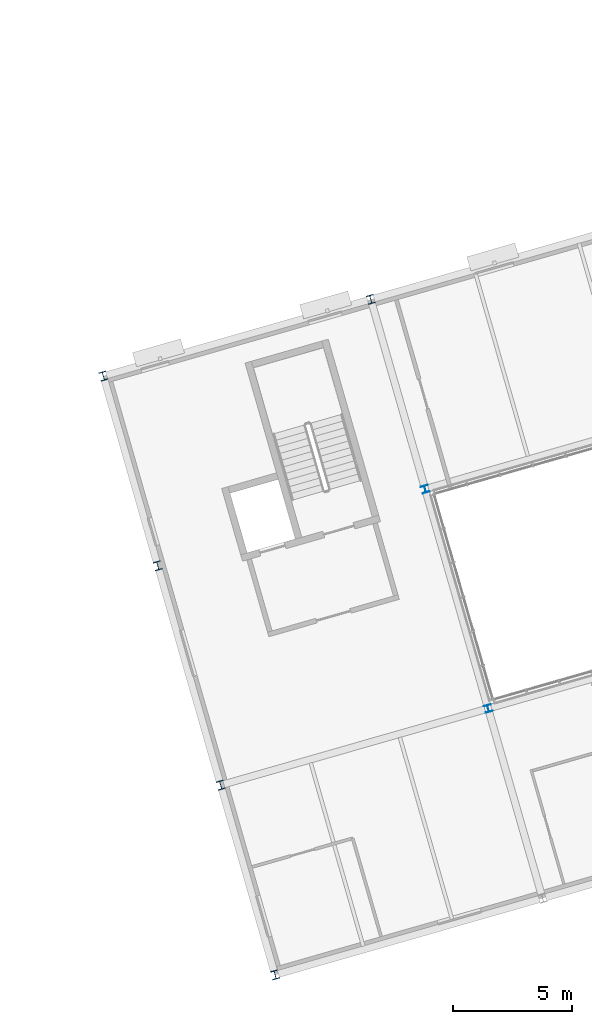
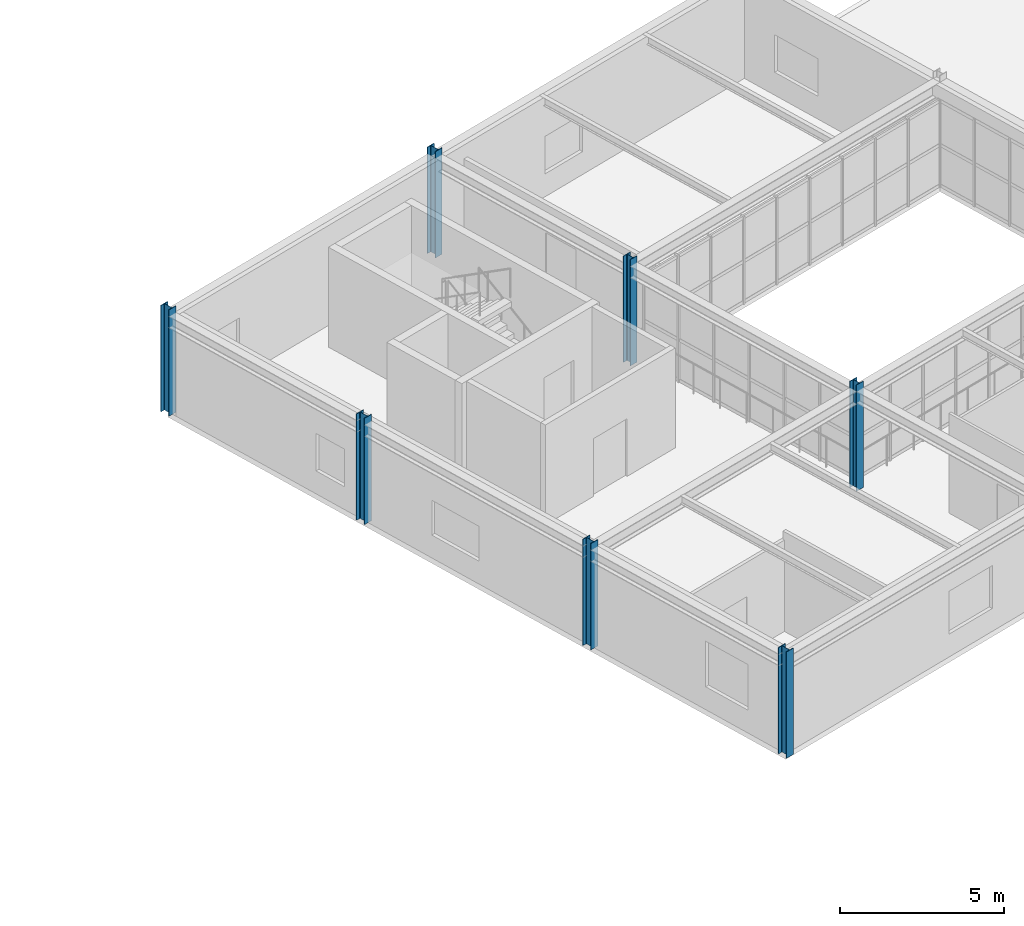
# One storey, part 6 of 44: 7 columns.
"""IFC4 building model written with IfcOpenShell, lengths in metres."""

import ifcopenshell
import ifcopenshell.guid

model = None  # the IFC model being written
_history = None  # IfcOwnerHistory: only IFC2X3 demands one
_inside = {}  # id of a spatial element -> (the spatial element, [elements in it])
_under = {}  # id of a project, library or spatial element -> (it, [spatial elements below it])
_declared = {}  # id of a project -> (the project, [libraries it declares])
_typed = {}  # id of a type object -> (the type object, [elements of that type])
_made_of = {}  # id of a material, layer set ... -> (it, [elements and type objects made of it])


def new_model(schema):
    """Start an empty IFC model of exactly this schema.

    Asked for "IFC4X3", IfcOpenShell would pick the latest addendum, in which some entities
    have other attributes; the version numbers below select the first issue.
    IFC2X3 requires an IfcOwnerHistory on every rooted entity: one is made here for all.
    """
    global model, _history
    if schema == "IFC4X3":
        model = ifcopenshell.file(schema_version=(4, 3, 0, 0))
    else:
        model = ifcopenshell.file(schema=schema)
    _inside.clear()
    _under.clear()
    _declared.clear()
    _typed.clear()
    _made_of.clear()
    _history = None
    if model.schema == "IFC2X3":
        org = make("IfcOrganization", Name="unknown")
        user = make(
            "IfcPersonAndOrganization",
            ThePerson=make("IfcPerson", FamilyName="unknown"),
            TheOrganization=org,
        )
        app = make(
            "IfcApplication",
            ApplicationDeveloper=org,
            Version="unknown",
            ApplicationFullName="unknown",
            ApplicationIdentifier="unknown",
        )
        _history = make(
            "IfcOwnerHistory",
            OwningUser=user,
            OwningApplication=app,
            ChangeAction="ADDED",
            CreationDate=0,
        )
    return model


def make(cls, **values):
    """One entity of the class cls with the attributes given. An attribute that is None is left unset."""
    return model.create_entity(
        cls, **{name: value for name, value in values.items() if value is not None}
    )


def rooted(cls, **values):
    """An entity with a GlobalId (a new one), such as an element, a storey or a relation."""
    return make(cls, GlobalId=ifcopenshell.guid.new(), OwnerHistory=_history, **values)


def si_unit(unit_type, name, prefix=None):
    """IfcSIUnit, for example si_unit("LENGTHUNIT", "METRE", prefix="MILLI")."""
    return make("IfcSIUnit", UnitType=unit_type, Prefix=prefix, Name=name)


def assignment(units):
    """IfcUnitAssignment: the units of a project."""
    return None if units is None else make("IfcUnitAssignment", Units=units)


def point(xyz):
    """IfcCartesianPoint."""
    return None if xyz is None else make("IfcCartesianPoint", Coordinates=xyz)


def direction(xyz):
    """IfcDirection."""
    return None if xyz is None else make("IfcDirection", DirectionRatios=xyz)


def frame(location, z_axis=None, x_axis=None):
    """IfcAxis2Placement3D, a coordinate frame: its origin and axes. An axis left out is left unset."""
    return make(
        "IfcAxis2Placement3D",
        Location=point(location),
        Axis=direction(z_axis),
        RefDirection=direction(x_axis),
    )


def frame_2d(location, x_axis=None):
    """IfcAxis2Placement2D, a coordinate frame in the plane: its origin and x axis."""
    return make(
        "IfcAxis2Placement2D", Location=point(location), RefDirection=direction(x_axis)
    )


def origin():
    """The frame at (0, 0, 0) with its axes left unset."""
    return frame((0.0, 0.0, 0.0))


def origin_2d():
    """The frame at (0, 0) in the plane with its x axis left unset."""
    return frame_2d((0.0, 0.0))


def place(relative_to, where):
    """IfcLocalPlacement: puts the frame where relative to a parent placement (None: the world)."""
    return make(
        "IfcLocalPlacement", PlacementRelTo=relative_to, RelativePlacement=where
    )


def context(
    kind, dimensions, precision=None, world=None, true_north=None, identifier=None
):
    """IfcGeometricRepresentationContext, for example the 3D "Model" context."""
    return make(
        "IfcGeometricRepresentationContext",
        ContextIdentifier=identifier,
        ContextType=kind,
        CoordinateSpaceDimension=dimensions,
        Precision=precision,
        WorldCoordinateSystem=world,
        TrueNorth=true_north,
    )


def subcontext(parent, identifier, kind, view, scale=None):
    """IfcGeometricRepresentationSubContext, for example "Body" below "Model"."""
    return make(
        "IfcGeometricRepresentationSubContext",
        ContextIdentifier=identifier,
        ContextType=kind,
        ParentContext=parent,
        TargetScale=scale,
        TargetView=view,
    )


def project(units=None, contexts=None):
    """IfcProject with its units and contexts."""
    return rooted(
        "IfcProject",
        Name="project",
        RepresentationContexts=contexts,
        UnitsInContext=assignment(units),
    )


def spatial(cls, under=None, at=None, **own):
    """A site, building, storey or space (cls), placed at a placement, below another one or the project."""
    s = rooted(cls, ObjectPlacement=at, **own)
    if under is not None:
        _under.setdefault(under.id(), (under, []))[1].append(s)
    return s


def profile(cls, at=None, kind="AREA", **sizes):
    """A parametric profile (cls). Its sizes go by their IFC names, for example OverallWidth=200.0."""
    return make(cls, ProfileType=kind, Position=at, **sizes)


def i_section(**sizes):
    """IfcIShapeProfileDef."""
    return profile("IfcIShapeProfileDef", **sizes)


def extrude(swept, where, along, depth):
    """IfcExtrudedAreaSolid: the profile swept, set in the frame where, extruded along a direction by depth."""
    return make(
        "IfcExtrudedAreaSolid",
        SweptArea=swept,
        Position=where,
        ExtrudedDirection=direction(along),
        Depth=depth,
    )


def shape(context_of_items, identifier, shape_type, items):
    """IfcShapeRepresentation: the items that make up one representation, for example the "Body"."""
    return make(
        "IfcShapeRepresentation",
        ContextOfItems=context_of_items,
        RepresentationIdentifier=identifier,
        RepresentationType=shape_type,
        Items=items,
    )


def material(Name=None, Category=None):
    """IfcMaterial."""
    return make("IfcMaterial", Name=Name, Category=Category)


def material_profile(
    of_material, cross_section, Name=None, Category=None, Priority=None
):
    """IfcMaterialProfile: a cross section and its material."""
    return make(
        "IfcMaterialProfile",
        Name=Name,
        Material=of_material,
        Profile=cross_section,
        Priority=Priority,
        Category=Category,
    )


def profile_set(profiles, Name=None, composite=None):
    """IfcMaterialProfileSet."""
    return make(
        "IfcMaterialProfileSet",
        Name=Name,
        MaterialProfiles=profiles,
        CompositeProfile=composite,
    )


def made_of(thing, what):
    """Note that an element or type object is made of a material, layer set ...; save() writes the relation."""
    if what is not None:
        _made_of.setdefault(what.id(), (what, []))[1].append(thing)
    return thing


def type_object(cls, material=None, **own):
    """A type object (cls), such as IfcWallType, which elements share."""
    return made_of(rooted(cls, **own), material)


def element(
    cls,
    number,
    at=None,
    inside=None,
    cuts=None,
    type_object=None,
    material=None,
    context=None,
    identifier="Body",
    shape_type=None,
    held_by="IfcProductDefinitionShape",
    body=None,
    shapes=None,
    **own,
):
    """One element of the class cls, such as IfcWall. Its Tag is "e" and its number.

    at: its placement. inside: the storey or other place that contains it. cuts: it is an
    opening in that element (IfcRelVoidsElement). A single representation is given by context,
    identifier, shape_type and body (its items); several are given by shapes. held_by: the class
    of the entity that holds the representations. save() writes the other relations.
    """
    e = rooted(cls, Tag="e%d" % number, ObjectPlacement=at, **own)
    if body is not None:
        shapes = [shape(context, identifier, shape_type, body)]
    if shapes is not None:
        e.Representation = make(held_by, Representations=shapes)
    if inside is not None:
        _inside.setdefault(inside.id(), (inside, []))[1].append(e)
    if cuts is not None:
        rooted(
            "IfcRelVoidsElement", RelatingBuildingElement=cuts, RelatedOpeningElement=e
        )
    if type_object is not None:
        _typed.setdefault(type_object.id(), (type_object, []))[1].append(e)
    return made_of(e, material)


def aggregate(whole, parts):
    """IfcRelAggregates: a whole, such as a stair, and the parts it consists of."""
    return rooted("IfcRelAggregates", RelatingObject=whole, RelatedObjects=parts)


def save(model, path):
    """Write the relations noted so far, then the file.

    IfcRelAggregates (storeys below a building ...), IfcRelContainedInSpatialStructure (elements
    in a storey), IfcRelDefinesByType, IfcRelAssociatesMaterial and IfcRelDeclares: one each for
    every whole, place, type object, material and project.
    """
    for whole, parts in _under.values():
        aggregate(whole, parts)
    for where, things in _inside.values():
        rooted(
            "IfcRelContainedInSpatialStructure",
            RelatedElements=things,
            RelatingStructure=where,
        )
    for kind, things in _typed.values():
        rooted("IfcRelDefinesByType", RelatedObjects=things, RelatingType=kind)
    for what, things in _made_of.values():
        rooted("IfcRelAssociatesMaterial", RelatedObjects=things, RelatingMaterial=what)
    for by, libraries in _declared.values():
        rooted("IfcRelDeclares", RelatingContext=by, RelatedDefinitions=libraries)
    model.write(path)


model = new_model("IFC4")

# Units and contexts
model_context = context("Model", 3, precision=1e-05, world=origin(), true_north=direction((0.0, 1.0)))
body_context = subcontext(model_context, "Body", "Model", "MODEL_VIEW")
ifc_project = project(units=[si_unit("LENGTHUNIT", "METRE"), si_unit("AREAUNIT", "SQUARE_METRE"), si_unit("VOLUMEUNIT", "CUBIC_METRE"), si_unit("PLANEANGLEUNIT", "RADIAN"), si_unit("MASSUNIT", "GRAM", prefix="KILO")], contexts=[model_context])

# Site, building, storey
site_placement = place(None, origin())
site = spatial("IfcSite", under=ifc_project, at=site_placement, CompositionType="ELEMENT")
building_placement = place(site_placement, origin())
building = spatial("IfcBuilding", under=site, at=building_placement, Name="Varnklinge Art Gallery", CompositionType="ELEMENT")
storey_placement = place(building_placement, frame((0.0, 0.0, 13.679931640625)))
storey = spatial("IfcBuildingStorey", under=building, at=storey_placement, Name="L03", CompositionType="ELEMENT", Elevation=13.679931640625)

# Columns
ifc_material_1 = material(Name="Steel S355", Category="steel")
ifc_material_profile_1 = material_profile(ifc_material_1, i_section(OverallWidth=0.300048828125, OverallDepth=0.300048828125, WebThickness=0.010986328125, FlangeThickness=0.01904296875, FilletRadius=0.027099609375, at=origin_2d()), Name="HEB 300")
ifc_profile_set_1 = profile_set([ifc_material_profile_1], Name="Steel S355")
column_type_1 = type_object("IfcColumnType", Name="COL-10", PredefinedType="COLUMN", material=ifc_profile_set_1)
for number, where, z_axis, x_axis, name in (
    (1, (133.78662109375, 21.01171875, 0.0), (0.0, 0.0, 1.0), (0.961261695938, 0.275637355817, 0.0), "L03 Column V6C-2-2"),
    (2, (131.140380859375, 30.23974609375, 0.0), (0.0, 0.0, 1.0), (0.961261695938, 0.275637355817, 0.0), "L03 Column V6C-2-3"),
):
    element("IfcColumn", number, at=place(storey_placement, frame(where, z_axis=z_axis, x_axis=x_axis)), inside=storey, type_object=column_type_1, Name=name, PredefinedType="COLUMN", context=body_context, shape_type="SweptSolid", body=[
        extrude(i_section(OverallWidth=0.300048828125, OverallDepth=0.300048828125, WebThickness=0.010986328125, FlangeThickness=0.01904296875, FilletRadius=0.027099609375, at=origin_2d()), origin(), (0.0, 0.0, 1.0), 3.9599609375),
    ])
ifc_material_2 = material(Name="Steel S355", Category="steel")
ifc_material_profile_2 = material_profile(ifc_material_2, i_section(OverallWidth=0.300048828125, OverallDepth=0.360107421875, WebThickness=0.012451171875, FlangeThickness=0.0224609375, FilletRadius=0.027099609375, at=origin_2d()), Name="HEB 360")
ifc_profile_set_2 = profile_set([ifc_material_profile_2], Name="Steel S355")
column_type_2 = type_object("IfcColumnType", Name="COL-E4", PredefinedType="COLUMN", material=ifc_profile_set_2)
for number, where, z_axis, x_axis, name in (
    (3, (124.827392578125, 9.80810546875, 0.0), (0.0, 0.0, 1.0), (0.961261695938, 0.275637355817, 0.0), "L03 Column V6C-1-1"),
    (4, (122.539794921875, 17.78662109375, 0.0), (0.0, 0.0, 1.0), (0.961261695938, 0.275637355817, 0.0), "L03 Column V6C-1-2"),
    (5, (119.8935546875, 27.014892578125, 0.0), (0.0, 0.0, 1.0), (0.961261695938, 0.275637355817, 0.0), "L03 Column V6C-1-3"),
    (6, (117.605712890625, 34.9931640625, 0.0), (0.0, 0.0, 1.0), (0.961261695938, 0.275637355817, 0.0), "L03 Column V6C-1-4"),
    (7, (128.8525390625, 38.21826171875, 0.0), (0.0, 0.0, 1.0), (0.961261695938, 0.275637355817, 0.0), "L03 Column V6C-2-4"),
):
    element("IfcColumn", number, at=place(storey_placement, frame(where, z_axis=z_axis, x_axis=x_axis)), inside=storey, type_object=column_type_2, Name=name, PredefinedType="COLUMN", context=body_context, shape_type="SweptSolid", body=[
        extrude(i_section(OverallWidth=0.300048828125, OverallDepth=0.360107421875, WebThickness=0.012451171875, FlangeThickness=0.0224609375, FilletRadius=0.027099609375, at=origin_2d()), origin(), (0.0, 0.0, 1.0), 3.9599609375),
    ])

save(model, "model.ifc")
